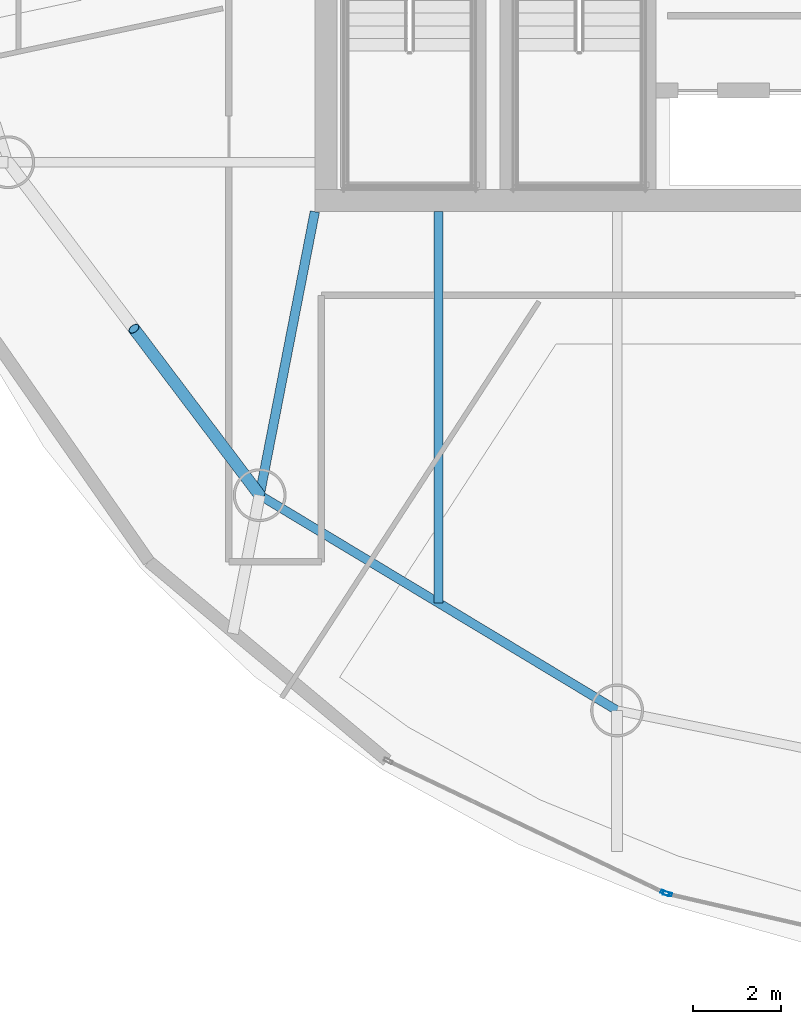
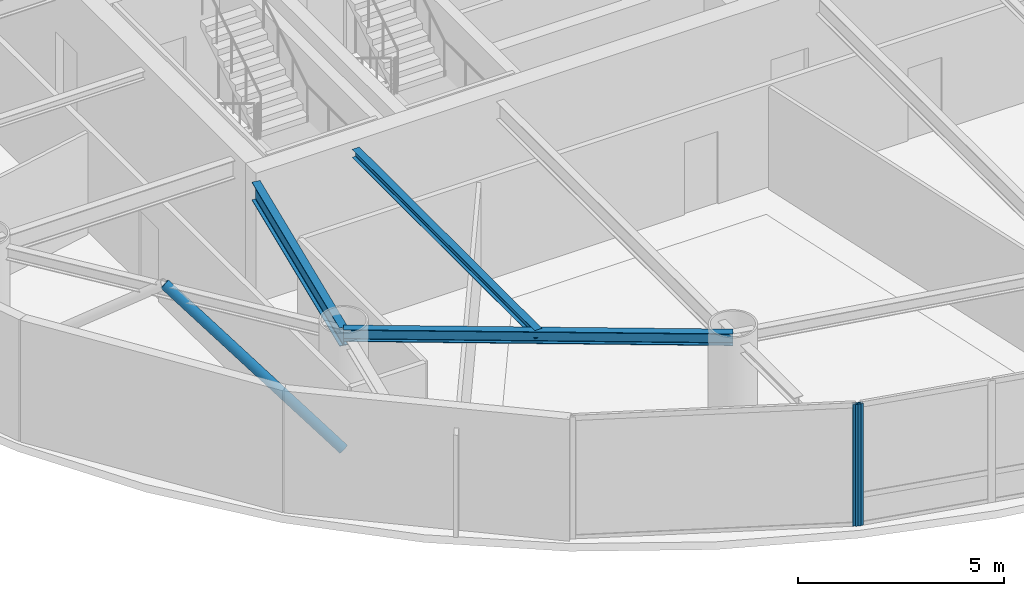
# One storey, part 3 of 22: 3 beams, 3 members, 2 elements without a shape of their own.
"""IFC4 building model written with IfcOpenShell, lengths in metres."""

from ifc_helpers import new_model, si_unit, direction, frame, origin, origin_2d, place, context, subcontext, project, spatial, hollow_rectangle, hollow_circle, i_section, extrude, material, layer, layer_set, material_profile, profile_set, type_object, element, aggregate, save


model = new_model("IFC4")

# Units and contexts
model_context = context("Model", 3, precision=1e-05, world=origin(), true_north=direction((0.0, 1.0)))
body_context = subcontext(model_context, "Body", "Model", "MODEL_VIEW")
ifc_project = project(units=[si_unit("LENGTHUNIT", "METRE"), si_unit("AREAUNIT", "SQUARE_METRE"), si_unit("VOLUMEUNIT", "CUBIC_METRE"), si_unit("PLANEANGLEUNIT", "RADIAN"), si_unit("MASSUNIT", "GRAM", prefix="KILO")], contexts=[model_context])

# Site, building, storey
site_placement = place(None, origin())
site = spatial("IfcSite", under=ifc_project, at=site_placement, CompositionType="ELEMENT")
building_placement = place(site_placement, origin())
building = spatial("IfcBuilding", under=site, at=building_placement, Name="Bramvorn Convention Spire", CompositionType="ELEMENT")
storey_placement = place(building_placement, frame((0.0, 0.0, 221.25)))
storey = spatial("IfcBuildingStorey", under=building, at=storey_placement, Name="L56", CompositionType="ELEMENT", Elevation=221.25)

# Beams
ifc_material_1 = material(Name="Steel CSA G40.21 Grade 350 (350W)", Category="steel")
ifc_material_profile_1 = material_profile(ifc_material_1, i_section(OverallWidth=0.201904296875, OverallDepth=0.2470703125, WebThickness=0.00732421875, FlangeThickness=0.010986328125, FilletRadius=0.011962890625, at=origin_2d()))
ifc_profile_set_1 = profile_set([ifc_material_profile_1], Name="Steel CSA G40.21 Grade 350 (350W) - W250X49")
beam_type_1 = type_object("IfcBeamType", Name="BM-W250X49", PredefinedType="JOIST", material=ifc_profile_set_1)
beam_1_placement = place(storey_placement, frame((29.554443359375, 18.550048828125, 3.49658203125), z_axis=(0.0, -1.0, 0.0), x_axis=(1.0, 0.0, 0.0)))
element("IfcBeam", 1, at=beam_1_placement, inside=storey, type_object=beam_type_1, Name="L56 composite floor joist 13", PredefinedType="JOIST", context=body_context, shape_type="SweptSolid", body=[
    extrude(i_section(OverallWidth=0.201904296875, OverallDepth=0.2470703125, WebThickness=0.00732421875, FlangeThickness=0.010986328125, FilletRadius=0.011962890625, at=origin_2d()), origin(), (0.0, 0.0, 1.0), 8.878662109375),
])
ifc_material_profile_2 = material_profile(ifc_material_1, i_section(OverallWidth=0.205078125, OverallDepth=0.35400390625, WebThickness=0.009521484375, FlangeThickness=0.016845703125, FilletRadius=0.014892578125, at=origin_2d()))
ifc_profile_set_2 = profile_set([ifc_material_profile_2], Name="Steel CSA G40.21 Grade 350 (350W) - W360X79")
beam_type_2 = type_object("IfcBeamType", Name="BM-W360X79", PredefinedType="JOIST", material=ifc_profile_set_2)
beam_2_placement = place(storey_placement, frame((25.498046875, 12.114990234375, 3.443115234375), z_axis=(0.856581795745, -0.516011266543, 0.0), x_axis=(0.516011266543, 0.856581795745, 0.0)))
element("IfcBeam", 2, at=beam_2_placement, inside=storey, type_object=beam_type_2, Name="L56 mega-column ring beam 13", PredefinedType="JOIST", context=body_context, shape_type="SweptSolid", body=[
    extrude(i_section(OverallWidth=0.205078125, OverallDepth=0.35400390625, WebThickness=0.009521484375, FlangeThickness=0.016845703125, FilletRadius=0.014892578125, at=origin_2d()), origin(), (0.0, 0.0, 1.0), 9.47119140625),
])
ifc_material_profile_3 = material_profile(ifc_material_1, i_section(OverallWidth=0.2119140625, OverallDepth=0.5439453125, WebThickness=0.01318359375, FlangeThickness=0.021240234375, FilletRadius=0.01904296875, at=origin_2d()))
ifc_profile_set_3 = profile_set([ifc_material_profile_3], Name="Steel CSA G40.21 Grade 350 (350W) - W530X123")
beam_type_3 = type_object("IfcBeamType", Name="BM-W530X123", PredefinedType="BEAM", material=ifc_profile_set_3)
beam_3_placement = place(storey_placement, frame((26.75, 18.550048828125, 3.347900390625), z_axis=(-0.190971329886, -0.981595614885, 0.0), x_axis=(0.981595614885, -0.190971329886, 0.0)))
element("IfcBeam", 3, at=beam_3_placement, inside=storey, type_object=beam_type_3, Name="L56 radial floor girder MC13", PredefinedType="BEAM", context=body_context, shape_type="SweptSolid", body=[
    extrude(i_section(OverallWidth=0.2119140625, OverallDepth=0.5439453125, WebThickness=0.01318359375, FlangeThickness=0.021240234375, FilletRadius=0.01904296875, at=origin_2d()), origin(), (0.0, 0.0, 1.0), 6.5556640625),
])

# Curtain wall, member
ifc_material_2 = material(Name="Anodised Bronze Unitised Curtain Wall", Category="aluminium")
ifc_layer = layer(ifc_material_2, 0.179931640625)
ifc_layer_set = layer_set([ifc_layer], Name="Anodised Bronze Unitised Curtain Wall - CW-OFF-FRIT")
curtain_wall_type = type_object("IfcCurtainWallType", Name="CW-OFF-FRIT", PredefinedType="USERDEFINED", material=ifc_layer_set)
curtain_wall_1_placement = place(storey_placement, origin())
curtain_wall_1 = element("IfcCurtainWall", 4, at=curtain_wall_1_placement, inside=storey, type_object=curtain_wall_type, Name="L56 fritted glass curtain wall 20", ObjectType="UNITISED CURTAIN WALL", PredefinedType="USERDEFINED")
ifc_material_3 = material(Name="Anodised Bronze Aluminium 6063-T6", Category="aluminium")
ifc_material_profile_4 = material_profile(ifc_material_3, hollow_rectangle(XDim=0.080078125, YDim=0.199951171875, WallThickness=0.00390625, InnerFilletRadius=0.0009765625, OuterFilletRadius=0.00390625, at=origin_2d()))
ifc_profile_set_4 = profile_set([ifc_material_profile_4], Name="Anodised Bronze Aluminium 6063-T6 - CWM80X200")
member_type_1 = type_object("IfcMemberType", Name="CW-MUL-180", PredefinedType="MULLION", material=ifc_profile_set_4)
member_1_placement = place(storey_placement, frame((34.6962890625, 3.085693359375, 0.0), z_axis=(0.0, 0.0, 1.0), x_axis=(-0.430659156923, -0.90251464839, 0.0)))
member_1 = element("IfcMember", 5, at=member_1_placement, type_object=member_type_1, Name="CW3 mullion 1", PredefinedType="MULLION", context=body_context, shape_type="SweptSolid", body=[
    extrude(hollow_rectangle(XDim=0.080078125, YDim=0.199951171875, WallThickness=0.00390625, InnerFilletRadius=0.0009765625, OuterFilletRadius=0.00390625, at=origin_2d()), origin(), (0.0, 0.0, 1.0), 3.6201171875),
])
aggregate(curtain_wall_1, [member_1])

curtain_wall_2_placement = place(storey_placement, origin())
curtain_wall_2 = element("IfcCurtainWall", 6, at=curtain_wall_2_placement, inside=storey, type_object=curtain_wall_type, Name="L56 fritted glass curtain wall 21", ObjectType="UNITISED CURTAIN WALL", PredefinedType="USERDEFINED")
member_2_placement = place(storey_placement, frame((34.75244140625, 3.066162109375, 0.0), z_axis=(0.0, 0.0, 1.0), x_axis=(-0.224055298751, -0.974576432663, 0.0)))
member_2 = element("IfcMember", 7, at=member_2_placement, type_object=member_type_1, Name="CW3 mullion 3", PredefinedType="MULLION", context=body_context, shape_type="SweptSolid", body=[
    extrude(hollow_rectangle(XDim=0.080078125, YDim=0.199951171875, WallThickness=0.00390625, InnerFilletRadius=0.0009765625, OuterFilletRadius=0.00390625, at=origin_2d()), origin(), (0.0, 0.0, 1.0), 3.6201171875),
])
aggregate(curtain_wall_2, [member_2])

# Member
ifc_material_profile_5 = material_profile(ifc_material_1, hollow_circle(Radius=0.136474609375, WallThickness=0.0126953125, at=origin_2d()))
ifc_profile_set_5 = profile_set([ifc_material_profile_5], Name="Steel CSA G40.21 Grade 350 (350W) - CHS273X13")
member_type_2 = type_object("IfcMemberType", Name="MBR-CHS273X13", PredefinedType="BRACE", material=ifc_profile_set_5)
member_3_placement = place(storey_placement, frame((25.498046875, 12.114990234375, 0.0), z_axis=(-0.478834801206, 0.633941070316, 0.607318658137), x_axis=(-0.797953827999, -0.602718581414, 0.0)))
element("IfcMember", 8, at=member_3_placement, inside=storey, type_object=member_type_2, Name="L56 perimeter Gothic lancet brace 12B", PredefinedType="BRACE", context=body_context, shape_type="SweptSolid", body=[
    extrude(hollow_circle(Radius=0.136474609375, WallThickness=0.0126953125, at=origin_2d()), origin(), (0.0, 0.0, 1.0), 5.9609375),
])

save(model, "model.ifc")
